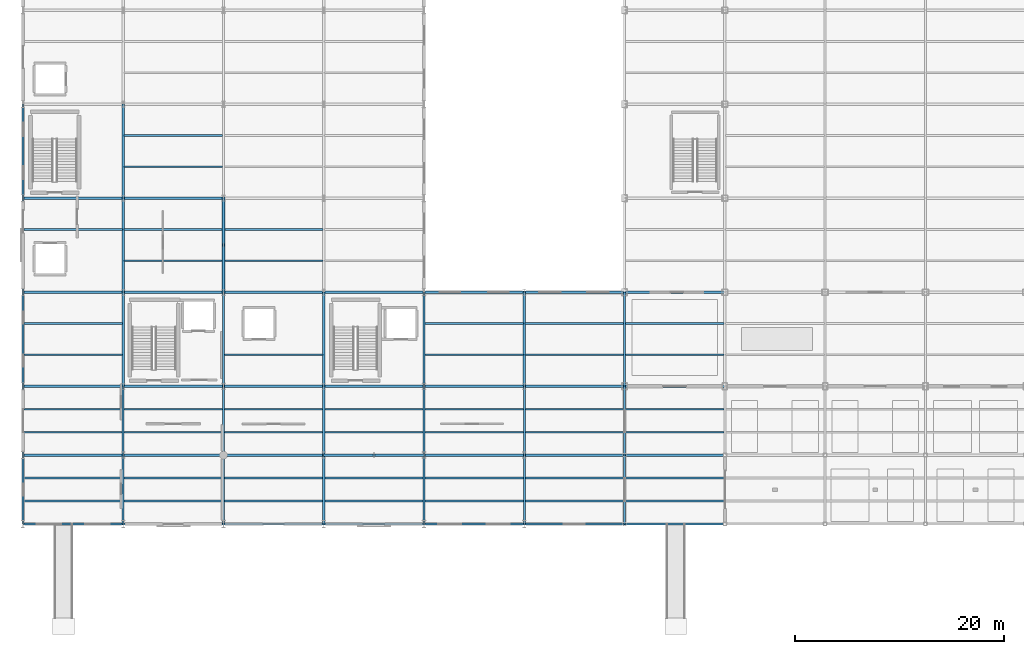
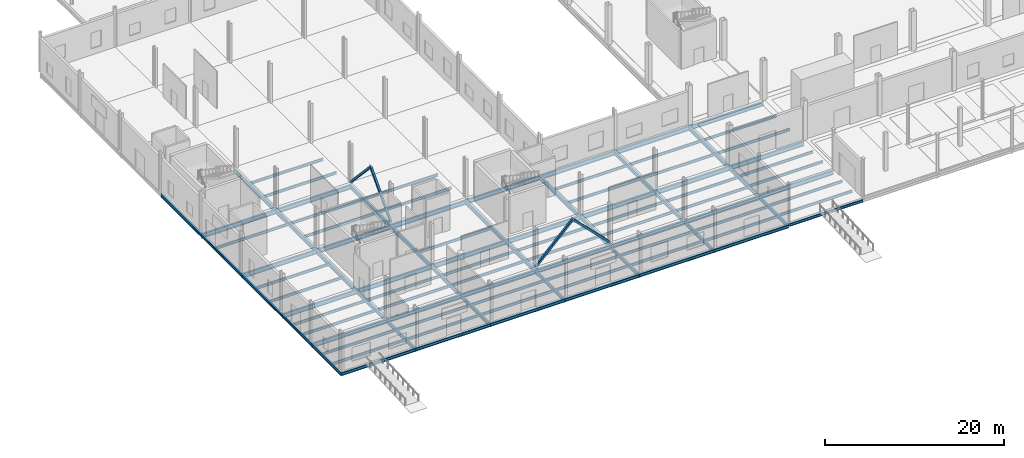
# One storey, part 26 of 85: 100 beams, 4 members.
"""IFC4 building model written with IfcOpenShell, lengths in metres."""

from ifc_helpers import new_model, si_unit, direction, frame, origin, origin_2d, place, context, subcontext, project, spatial, hollow_rectangle, i_section, extrude, material, material_profile, profile_set, type_object, element, save


model = new_model("IFC4")

# Units and contexts
model_context = context("Model", 3, precision=1e-05, world=origin(), true_north=direction((0.0, 1.0)))
body_context = subcontext(model_context, "Body", "Model", "MODEL_VIEW")
ifc_project = project(units=[si_unit("LENGTHUNIT", "METRE"), si_unit("AREAUNIT", "SQUARE_METRE"), si_unit("VOLUMEUNIT", "CUBIC_METRE"), si_unit("PLANEANGLEUNIT", "RADIAN"), si_unit("MASSUNIT", "GRAM", prefix="KILO")], contexts=[model_context])

# Site, building, storey
site_placement = place(None, origin())
site = spatial("IfcSite", under=ifc_project, at=site_placement, CompositionType="ELEMENT")
building_placement = place(site_placement, origin())
building = spatial("IfcBuilding", under=site, at=building_placement, Name="Zarnetskaya Central Station", CompositionType="ELEMENT")
storey_placement = place(building_placement, origin())
storey = spatial("IfcBuildingStorey", under=building, at=storey_placement, Name="L00", CompositionType="ELEMENT", Elevation=0.0)

# Beams
ifc_material = material(Name="Steel S355", Category="steel")
ifc_material_profile_1 = material_profile(ifc_material, i_section(OverallWidth=0.169921875, OverallDepth=0.360107421875, WebThickness=0.008056640625, FlangeThickness=0.0126953125, FilletRadius=0.01806640625, at=origin_2d()), Name="IPE 360")
ifc_profile_set_1 = profile_set([ifc_material_profile_1], Name="Steel S355")
beam_type_1 = type_object("IfcBeamType", Name="BM-SEC-360", PredefinedType="BEAM", material=ifc_profile_set_1)
for number, where, z_axis, x_axis, name in (
    (1, (0.080078125, 2.199951171875, -0.5), (1.0, 0.0, 0.0), (0.0, 1.0, 0.0), "Secondary floor beam SEC-L00-Z32-AB-12-1"),
    (2, (0.080078125, 4.39990234375, -0.5), (1.0, 0.0, 0.0), (0.0, 1.0, 0.0), "Secondary floor beam SEC-L00-Z32-AB-12-2"),
    (3, (0.080078125, 8.800048828125, -0.5), (1.0, 0.0, 0.0), (0.0, 1.0, 0.0), "Secondary floor beam SEC-L00-Z32-AB-23-1"),
    (4, (0.080078125, 11.0, -0.5), (1.0, 0.0, 0.0), (0.0, 1.0, 0.0), "Secondary floor beam SEC-L00-Z32-AB-23-2"),
    (5, (0.080078125, 16.199951171875, -0.5), (1.0, 0.0, 0.0), (0.0, 1.0, 0.0), "Secondary floor beam SEC-L00-Z32-AB-34-1"),
    (6, (0.080078125, 19.199951171875, -0.5), (1.0, 0.0, 0.0), (0.0, 1.0, 0.0), "Secondary floor beam SEC-L00-Z32-AB-34-2"),
    (7, (0.080078125, 28.199951171875, -0.5), (1.0, 0.0, 0.0), (0.0, 1.0, 0.0), "Secondary floor beam SEC-L00-Z32-AB-45-2"),
):
    element("IfcBeam", number, at=place(storey_placement, frame(where, z_axis=z_axis, x_axis=x_axis)), inside=storey, type_object=beam_type_1, Name=name, PredefinedType="BEAM", context=body_context, shape_type="SweptSolid", body=[
        extrude(i_section(OverallWidth=0.169921875, OverallDepth=0.360107421875, WebThickness=0.008056640625, FlangeThickness=0.0126953125, FilletRadius=0.01806640625, at=origin_2d()), origin(), (0.0, 0.0, 1.0), 9.43994140625),
    ])
for number, where, z_axis, x_axis, name in (
    (8, (9.679931640625, 2.199951171875, -0.5), (1.0, 0.0, 0.0), (0.0, 1.0, 0.0), "Secondary floor beam SEC-L00-Z32-BC-12-1"),
    (9, (9.679931640625, 4.39990234375, -0.5), (1.0, 0.0, 0.0), (0.0, 1.0, 0.0), "Secondary floor beam SEC-L00-Z32-BC-12-2"),
    (10, (9.679931640625, 8.800048828125, -0.5), (1.0, 0.0, 0.0), (0.0, 1.0, 0.0), "Secondary floor beam SEC-L00-Z32-BC-23-1"),
    (11, (9.679931640625, 11.0, -0.5), (1.0, 0.0, 0.0), (0.0, 1.0, 0.0), "Secondary floor beam SEC-L00-Z32-BC-23-2"),
    (12, (9.679931640625, 25.199951171875, -0.5), (1.0, 0.0, 0.0), (0.0, 1.0, 0.0), "Secondary floor beam SEC-L00-Z32-BC-45-1"),
    (13, (9.679931640625, 28.199951171875, -0.5), (1.0, 0.0, 0.0), (0.0, 1.0, 0.0), "Secondary floor beam SEC-L00-Z32-BC-45-2"),
    (14, (9.679931640625, 34.199951171875, -0.5), (1.0, 0.0, 0.0), (0.0, 1.0, 0.0), "Secondary floor beam SEC-L00-Z32-BC-56-1"),
    (15, (9.679931640625, 37.199951171875, -0.5), (1.0, 0.0, 0.0), (0.0, 1.0, 0.0), "Secondary floor beam SEC-L00-Z32-BC-56-2"),
):
    element("IfcBeam", number, at=place(storey_placement, frame(where, z_axis=z_axis, x_axis=x_axis)), inside=storey, type_object=beam_type_1, Name=name, PredefinedType="BEAM", context=body_context, shape_type="SweptSolid", body=[
        extrude(i_section(OverallWidth=0.169921875, OverallDepth=0.360107421875, WebThickness=0.008056640625, FlangeThickness=0.0126953125, FilletRadius=0.01806640625, at=origin_2d()), origin(), (0.0, 0.0, 1.0), 9.440185546875),
    ])
for number, where, z_axis, x_axis, name in (
    (16, (19.280029296875, 2.199951171875, -0.5), (1.0, 0.0, 0.0), (0.0, 1.0, 0.0), "Secondary floor beam SEC-L00-Z32-CD-12-1"),
    (17, (19.280029296875, 4.39990234375, -0.5), (1.0, 0.0, 0.0), (0.0, 1.0, 0.0), "Secondary floor beam SEC-L00-Z32-CD-12-2"),
    (18, (19.280029296875, 8.800048828125, -0.5), (1.0, 0.0, 0.0), (0.0, 1.0, 0.0), "Secondary floor beam SEC-L00-Z32-CD-23-1"),
    (19, (19.280029296875, 11.0, -0.5), (1.0, 0.0, 0.0), (0.0, 1.0, 0.0), "Secondary floor beam SEC-L00-Z32-CD-23-2"),
    (20, (19.280029296875, 16.199951171875, -0.5), (1.0, 0.0, 0.0), (0.0, 1.0, 0.0), "Secondary floor beam SEC-L00-Z32-CD-34-1"),
    (21, (19.280029296875, 25.199951171875, -0.5), (1.0, 0.0, 0.0), (0.0, 1.0, 0.0), "Secondary floor beam SEC-L00-Z32-CD-45-1"),
    (22, (19.280029296875, 28.199951171875, -0.5), (1.0, 0.0, 0.0), (0.0, 1.0, 0.0), "Secondary floor beam SEC-L00-Z32-CD-45-2"),
):
    element("IfcBeam", number, at=place(storey_placement, frame(where, z_axis=z_axis, x_axis=x_axis)), inside=storey, type_object=beam_type_1, Name=name, PredefinedType="BEAM", context=body_context, shape_type="SweptSolid", body=[
        extrude(i_section(OverallWidth=0.169921875, OverallDepth=0.360107421875, WebThickness=0.008056640625, FlangeThickness=0.0126953125, FilletRadius=0.01806640625, at=origin_2d()), origin(), (0.0, 0.0, 1.0), 9.43994140625),
    ])
for number, where, z_axis, x_axis, name in (
    (23, (28.8798828125, 2.199951171875, -0.5), (1.0, 0.0, 0.0), (0.0, 1.0, 0.0), "Secondary floor beam SEC-L00-Z32-DE-12-1"),
    (24, (28.8798828125, 4.39990234375, -0.5), (1.0, 0.0, 0.0), (0.0, 1.0, 0.0), "Secondary floor beam SEC-L00-Z32-DE-12-2"),
    (25, (28.8798828125, 8.800048828125, -0.5), (1.0, 0.0, 0.0), (0.0, 1.0, 0.0), "Secondary floor beam SEC-L00-Z32-DE-23-1"),
    (26, (28.8798828125, 11.0, -0.5), (1.0, 0.0, 0.0), (0.0, 1.0, 0.0), "Secondary floor beam SEC-L00-Z32-DE-23-2"),
):
    element("IfcBeam", number, at=place(storey_placement, frame(where, z_axis=z_axis, x_axis=x_axis)), inside=storey, type_object=beam_type_1, Name=name, PredefinedType="BEAM", context=body_context, shape_type="SweptSolid", body=[
        extrude(i_section(OverallWidth=0.169921875, OverallDepth=0.360107421875, WebThickness=0.008056640625, FlangeThickness=0.0126953125, FilletRadius=0.01806640625, at=origin_2d()), origin(), (0.0, 0.0, 1.0), 9.440185546875),
    ])
for number, where, z_axis, x_axis, name in (
    (27, (38.47998046875, 2.199951171875, -0.5), (1.0, 0.0, 0.0), (0.0, 1.0, 0.0), "Secondary floor beam SEC-L00-Z32-EF-12-1"),
    (28, (38.47998046875, 4.39990234375, -0.5), (1.0, 0.0, 0.0), (0.0, 1.0, 0.0), "Secondary floor beam SEC-L00-Z32-EF-12-2"),
    (29, (38.47998046875, 8.800048828125, -0.5), (1.0, 0.0, 0.0), (0.0, 1.0, 0.0), "Secondary floor beam SEC-L00-Z32-EF-23-1"),
    (30, (38.47998046875, 11.0, -0.5), (1.0, 0.0, 0.0), (0.0, 1.0, 0.0), "Secondary floor beam SEC-L00-Z32-EF-23-2"),
    (31, (38.47998046875, 16.199951171875, -0.5), (1.0, 0.0, 0.0), (0.0, 1.0, 0.0), "Secondary floor beam SEC-L00-Z32-EF-34-1"),
    (32, (38.47998046875, 19.199951171875, -0.5), (1.0, 0.0, 0.0), (0.0, 1.0, 0.0), "Secondary floor beam SEC-L00-Z32-EF-34-2"),
    (33, (48.080078125, 2.199951171875, -0.5), (1.0, 0.0, 0.0), (0.0, 1.0, 0.0), "Secondary floor beam SEC-L00-Z32-FG-12-1"),
    (34, (48.080078125, 4.39990234375, -0.5), (1.0, 0.0, 0.0), (0.0, 1.0, 0.0), "Secondary floor beam SEC-L00-Z32-FG-12-2"),
    (35, (48.080078125, 8.800048828125, -0.5), (1.0, 0.0, 0.0), (0.0, 1.0, 0.0), "Secondary floor beam SEC-L00-Z32-FG-23-1"),
    (36, (48.080078125, 11.0, -0.5), (1.0, 0.0, 0.0), (0.0, 1.0, 0.0), "Secondary floor beam SEC-L00-Z32-FG-23-2"),
    (37, (48.080078125, 16.199951171875, -0.5), (1.0, 0.0, 0.0), (0.0, 1.0, 0.0), "Secondary floor beam SEC-L00-Z32-FG-34-1"),
    (38, (48.080078125, 19.199951171875, -0.5), (1.0, 0.0, 0.0), (0.0, 1.0, 0.0), "Secondary floor beam SEC-L00-Z32-FG-34-2"),
):
    element("IfcBeam", number, at=place(storey_placement, frame(where, z_axis=z_axis, x_axis=x_axis)), inside=storey, type_object=beam_type_1, Name=name, PredefinedType="BEAM", context=body_context, shape_type="SweptSolid", body=[
        extrude(i_section(OverallWidth=0.169921875, OverallDepth=0.360107421875, WebThickness=0.008056640625, FlangeThickness=0.0126953125, FilletRadius=0.01806640625, at=origin_2d()), origin(), (0.0, 0.0, 1.0), 9.43994140625),
    ])
for number, where, z_axis, x_axis, name in (
    (39, (57.679931640625, 16.199951171875, -0.5), (1.0, 0.0, 0.0), (0.0, 1.0, 0.0), "Secondary floor beam SEC-L00-Z32-GH-34-1"),
    (40, (57.679931640625, 19.199951171875, -0.5), (1.0, 0.0, 0.0), (0.0, 1.0, 0.0), "Secondary floor beam SEC-L00-Z32-GH-34-2"),
    (41, (57.679931640625, 2.199951171875, -0.39990234375), (1.0, 0.0, 0.0), (0.0, 1.0, 0.0), "Secondary floor beam SEC-L00-Z22-GH-12-1"),
    (42, (57.679931640625, 4.39990234375, -0.39990234375), (1.0, 0.0, 0.0), (0.0, 1.0, 0.0), "Secondary floor beam SEC-L00-Z22-GH-12-2"),
    (43, (57.679931640625, 8.800048828125, -0.39990234375), (1.0, 0.0, 0.0), (0.0, 1.0, 0.0), "Secondary floor beam SEC-L00-Z22-GH-23-1"),
    (44, (57.679931640625, 11.0, -0.39990234375), (1.0, 0.0, 0.0), (0.0, 1.0, 0.0), "Secondary floor beam SEC-L00-Z22-GH-23-2"),
):
    element("IfcBeam", number, at=place(storey_placement, frame(where, z_axis=z_axis, x_axis=x_axis)), inside=storey, type_object=beam_type_1, Name=name, PredefinedType="BEAM", context=body_context, shape_type="SweptSolid", body=[
        extrude(i_section(OverallWidth=0.169921875, OverallDepth=0.360107421875, WebThickness=0.008056640625, FlangeThickness=0.0126953125, FilletRadius=0.01806640625, at=origin_2d()), origin(), (0.0, 0.0, 1.0), 9.440185546875),
    ])
ifc_material_profile_2 = material_profile(ifc_material, i_section(OverallWidth=0.169921875, OverallDepth=0.360107421875, WebThickness=0.008056640625, FlangeThickness=0.0126953125, FilletRadius=0.01806640625, at=origin_2d()), Name="IPE 360")
ifc_profile_set_2 = profile_set([ifc_material_profile_2], Name="Steel S355")
beam_type_2 = type_object("IfcBeamType", Name="BM-SPN-V4", PredefinedType="SPANDREL", material=ifc_profile_set_2)
beam_1_placement = place(storey_placement, frame((57.60009765625, 0.0, -0.39990234375), z_axis=(1.0, 0.0, 0.0), x_axis=(0.0, 1.0, 0.0)))
element("IfcBeam", 45, at=beam_1_placement, inside=storey, type_object=beam_type_2, Name="Grid girder GX-L00-1-GH", PredefinedType="SPANDREL", context=body_context, shape_type="SweptSolid", body=[
    extrude(i_section(OverallWidth=0.169921875, OverallDepth=0.360107421875, WebThickness=0.008056640625, FlangeThickness=0.0126953125, FilletRadius=0.01806640625, at=origin_2d()), origin(), (0.0, 0.0, 1.0), 9.599853515625),
])
ifc_material_profile_3 = material_profile(ifc_material, i_section(OverallWidth=0.179931640625, OverallDepth=0.39990234375, WebThickness=0.008544921875, FlangeThickness=0.013427734375, FilletRadius=0.02099609375, at=origin_2d()), Name="IPE 400")
ifc_profile_set_3 = profile_set([ifc_material_profile_3], Name="Steel S355")
beam_type_3 = type_object("IfcBeamType", Name="BM-SPN-V5", PredefinedType="SPANDREL", material=ifc_profile_set_3)
beam_2_placement = place(storey_placement, frame((0.0, 0.0, -0.52001953125), z_axis=(0.0, 1.0, 0.0), x_axis=(-1.0, 0.0, 0.0)))
element("IfcBeam", 46, at=beam_2_placement, inside=storey, type_object=beam_type_3, Name="Grid girder GY-L00-A-12", PredefinedType="SPANDREL", context=body_context, shape_type="SweptSolid", body=[
    extrude(i_section(OverallWidth=0.179931640625, OverallDepth=0.39990234375, WebThickness=0.008544921875, FlangeThickness=0.013427734375, FilletRadius=0.02099609375, at=origin_2d()), origin(), (0.0, 0.0, 1.0), 6.60009765625),
])
beam_3_placement = place(storey_placement, frame((0.0, 0.0, -0.52001953125), z_axis=(1.0, 0.0, 0.0), x_axis=(0.0, 1.0, 0.0)))
element("IfcBeam", 47, at=beam_3_placement, inside=storey, type_object=beam_type_3, Name="Grid girder GX-L00-1-AB", PredefinedType="SPANDREL", context=body_context, shape_type="SweptSolid", body=[
    extrude(i_section(OverallWidth=0.179931640625, OverallDepth=0.39990234375, WebThickness=0.008544921875, FlangeThickness=0.013427734375, FilletRadius=0.02099609375, at=origin_2d()), origin(), (0.0, 0.0, 1.0), 9.60009765625),
])
beam_4_placement = place(storey_placement, frame((0.0, 6.60009765625, -0.52001953125), z_axis=(0.0, 1.0, 0.0), x_axis=(-1.0, 0.0, 0.0)))
element("IfcBeam", 48, at=beam_4_placement, inside=storey, type_object=beam_type_3, Name="Grid girder GY-L00-A-23", PredefinedType="SPANDREL", context=body_context, shape_type="SweptSolid", body=[
    extrude(i_section(OverallWidth=0.179931640625, OverallDepth=0.39990234375, WebThickness=0.008544921875, FlangeThickness=0.013427734375, FilletRadius=0.02099609375, at=origin_2d()), origin(), (0.0, 0.0, 1.0), 6.599853515625),
])
for number, where, z_axis, x_axis, name in (
    (49, (0.0, 13.199951171875, -0.52001953125), (0.0, 1.0, 0.0), (-1.0, 0.0, 0.0), "Grid girder GY-L00-A-34"),
    (50, (0.0, 22.199951171875, -0.52001953125), (0.0, 1.0, 0.0), (-1.0, 0.0, 0.0), "Grid girder GY-L00-A-45"),
    (51, (0.0, 31.199951171875, -0.52001953125), (0.0, 1.0, 0.0), (-1.0, 0.0, 0.0), "Grid girder GY-L00-A-56"),
):
    element("IfcBeam", number, at=place(storey_placement, frame(where, z_axis=z_axis, x_axis=x_axis)), inside=storey, type_object=beam_type_3, Name=name, PredefinedType="SPANDREL", context=body_context, shape_type="SweptSolid", body=[
        extrude(i_section(OverallWidth=0.179931640625, OverallDepth=0.39990234375, WebThickness=0.008544921875, FlangeThickness=0.013427734375, FilletRadius=0.02099609375, at=origin_2d()), origin(), (0.0, 0.0, 1.0), 9.0),
    ])
beam_5_placement = place(storey_placement, frame((9.60009765625, 0.0, -0.52001953125), z_axis=(1.0, 0.0, 0.0), x_axis=(0.0, 1.0, 0.0)))
element("IfcBeam", 52, at=beam_5_placement, inside=storey, type_object=beam_type_3, Name="Grid girder GX-L00-1-BC", PredefinedType="SPANDREL", context=body_context, shape_type="SweptSolid", body=[
    extrude(i_section(OverallWidth=0.179931640625, OverallDepth=0.39990234375, WebThickness=0.008544921875, FlangeThickness=0.013427734375, FilletRadius=0.02099609375, at=origin_2d()), origin(), (0.0, 0.0, 1.0), 9.599853515625),
])
beam_6_placement = place(storey_placement, frame((19.199951171875, 0.0, -0.52001953125), z_axis=(1.0, 0.0, 0.0), x_axis=(0.0, 1.0, 0.0)))
element("IfcBeam", 53, at=beam_6_placement, inside=storey, type_object=beam_type_3, Name="Grid girder GX-L00-1-CD", PredefinedType="SPANDREL", context=body_context, shape_type="SweptSolid", body=[
    extrude(i_section(OverallWidth=0.179931640625, OverallDepth=0.39990234375, WebThickness=0.008544921875, FlangeThickness=0.013427734375, FilletRadius=0.02099609375, at=origin_2d()), origin(), (0.0, 0.0, 1.0), 9.60009765625),
])
beam_7_placement = place(storey_placement, frame((28.800048828125, 0.0, -0.52001953125), z_axis=(1.0, 0.0, 0.0), x_axis=(0.0, 1.0, 0.0)))
element("IfcBeam", 54, at=beam_7_placement, inside=storey, type_object=beam_type_3, Name="Grid girder GX-L00-1-DE", PredefinedType="SPANDREL", context=body_context, shape_type="SweptSolid", body=[
    extrude(i_section(OverallWidth=0.179931640625, OverallDepth=0.39990234375, WebThickness=0.008544921875, FlangeThickness=0.013427734375, FilletRadius=0.02099609375, at=origin_2d()), origin(), (0.0, 0.0, 1.0), 9.599853515625),
])
for number, where, z_axis, x_axis, name in (
    (55, (38.39990234375, 0.0, -0.52001953125), (1.0, 0.0, 0.0), (0.0, 1.0, 0.0), "Grid girder GX-L00-1-EF"),
    (56, (48.0, 0.0, -0.52001953125), (1.0, 0.0, 0.0), (0.0, 1.0, 0.0), "Grid girder GX-L00-1-FG"),
):
    element("IfcBeam", number, at=place(storey_placement, frame(where, z_axis=z_axis, x_axis=x_axis)), inside=storey, type_object=beam_type_3, Name=name, PredefinedType="SPANDREL", context=body_context, shape_type="SweptSolid", body=[
        extrude(i_section(OverallWidth=0.179931640625, OverallDepth=0.39990234375, WebThickness=0.008544921875, FlangeThickness=0.013427734375, FilletRadius=0.02099609375, at=origin_2d()), origin(), (0.0, 0.0, 1.0), 9.60009765625),
    ])
ifc_material_profile_4 = material_profile(ifc_material, i_section(OverallWidth=0.199951171875, OverallDepth=0.5, WebThickness=0.01025390625, FlangeThickness=0.01611328125, FilletRadius=0.02099609375, at=origin_2d()), Name="IPE 500")
ifc_profile_set_4 = profile_set([ifc_material_profile_4], Name="Steel S355")
beam_type_4 = type_object("IfcBeamType", Name="GD-FLR-500", PredefinedType="USERDEFINED", material=ifc_profile_set_4)
beam_8_placement = place(storey_placement, frame((9.60009765625, 0.0, -0.570068359375), z_axis=(0.0, 1.0, 0.0), x_axis=(-1.0, 0.0, 0.0)))
element("IfcBeam", 57, at=beam_8_placement, inside=storey, type_object=beam_type_4, Name="Grid girder GY-L00-B-12", ObjectType="GIRDER", PredefinedType="USERDEFINED", context=body_context, shape_type="SweptSolid", body=[
    extrude(i_section(OverallWidth=0.199951171875, OverallDepth=0.5, WebThickness=0.01025390625, FlangeThickness=0.01611328125, FilletRadius=0.02099609375, at=origin_2d()), origin(), (0.0, 0.0, 1.0), 6.60009765625),
])
beam_9_placement = place(storey_placement, frame((9.60009765625, 6.60009765625, -0.570068359375), z_axis=(0.0, 1.0, 0.0), x_axis=(-1.0, 0.0, 0.0)))
element("IfcBeam", 58, at=beam_9_placement, inside=storey, type_object=beam_type_4, Name="Grid girder GY-L00-B-23", ObjectType="GIRDER", PredefinedType="USERDEFINED", context=body_context, shape_type="SweptSolid", body=[
    extrude(i_section(OverallWidth=0.199951171875, OverallDepth=0.5, WebThickness=0.01025390625, FlangeThickness=0.01611328125, FilletRadius=0.02099609375, at=origin_2d()), origin(), (0.0, 0.0, 1.0), 6.599853515625),
])
beam_10_placement = place(storey_placement, frame((19.199951171875, 0.0, -0.570068359375), z_axis=(0.0, 1.0, 0.0), x_axis=(-1.0, 0.0, 0.0)))
element("IfcBeam", 59, at=beam_10_placement, inside=storey, type_object=beam_type_4, Name="Grid girder GY-L00-C-12", ObjectType="GIRDER", PredefinedType="USERDEFINED", context=body_context, shape_type="SweptSolid", body=[
    extrude(i_section(OverallWidth=0.199951171875, OverallDepth=0.5, WebThickness=0.01025390625, FlangeThickness=0.01611328125, FilletRadius=0.02099609375, at=origin_2d()), origin(), (0.0, 0.0, 1.0), 6.60009765625),
])
beam_11_placement = place(storey_placement, frame((19.199951171875, 6.60009765625, -0.570068359375), z_axis=(0.0, 1.0, 0.0), x_axis=(-1.0, 0.0, 0.0)))
element("IfcBeam", 60, at=beam_11_placement, inside=storey, type_object=beam_type_4, Name="Grid girder GY-L00-C-23", ObjectType="GIRDER", PredefinedType="USERDEFINED", context=body_context, shape_type="SweptSolid", body=[
    extrude(i_section(OverallWidth=0.199951171875, OverallDepth=0.5, WebThickness=0.01025390625, FlangeThickness=0.01611328125, FilletRadius=0.02099609375, at=origin_2d()), origin(), (0.0, 0.0, 1.0), 6.599853515625),
])
beam_12_placement = place(storey_placement, frame((28.800048828125, 0.0, -0.570068359375), z_axis=(0.0, 1.0, 0.0), x_axis=(-1.0, 0.0, 0.0)))
element("IfcBeam", 61, at=beam_12_placement, inside=storey, type_object=beam_type_4, Name="Grid girder GY-L00-D-12", ObjectType="GIRDER", PredefinedType="USERDEFINED", context=body_context, shape_type="SweptSolid", body=[
    extrude(i_section(OverallWidth=0.199951171875, OverallDepth=0.5, WebThickness=0.01025390625, FlangeThickness=0.01611328125, FilletRadius=0.02099609375, at=origin_2d()), origin(), (0.0, 0.0, 1.0), 6.60009765625),
])
beam_13_placement = place(storey_placement, frame((28.800048828125, 6.60009765625, -0.570068359375), z_axis=(0.0, 1.0, 0.0), x_axis=(-1.0, 0.0, 0.0)))
element("IfcBeam", 62, at=beam_13_placement, inside=storey, type_object=beam_type_4, Name="Grid girder GY-L00-D-23", ObjectType="GIRDER", PredefinedType="USERDEFINED", context=body_context, shape_type="SweptSolid", body=[
    extrude(i_section(OverallWidth=0.199951171875, OverallDepth=0.5, WebThickness=0.01025390625, FlangeThickness=0.01611328125, FilletRadius=0.02099609375, at=origin_2d()), origin(), (0.0, 0.0, 1.0), 6.599853515625),
])
beam_14_placement = place(storey_placement, frame((38.39990234375, 0.0, -0.570068359375), z_axis=(0.0, 1.0, 0.0), x_axis=(-1.0, 0.0, 0.0)))
element("IfcBeam", 63, at=beam_14_placement, inside=storey, type_object=beam_type_4, Name="Grid girder GY-L00-E-12", ObjectType="GIRDER", PredefinedType="USERDEFINED", context=body_context, shape_type="SweptSolid", body=[
    extrude(i_section(OverallWidth=0.199951171875, OverallDepth=0.5, WebThickness=0.01025390625, FlangeThickness=0.01611328125, FilletRadius=0.02099609375, at=origin_2d()), origin(), (0.0, 0.0, 1.0), 6.60009765625),
])
beam_15_placement = place(storey_placement, frame((38.39990234375, 6.60009765625, -0.570068359375), z_axis=(0.0, 1.0, 0.0), x_axis=(-1.0, 0.0, 0.0)))
element("IfcBeam", 64, at=beam_15_placement, inside=storey, type_object=beam_type_4, Name="Grid girder GY-L00-E-23", ObjectType="GIRDER", PredefinedType="USERDEFINED", context=body_context, shape_type="SweptSolid", body=[
    extrude(i_section(OverallWidth=0.199951171875, OverallDepth=0.5, WebThickness=0.01025390625, FlangeThickness=0.01611328125, FilletRadius=0.02099609375, at=origin_2d()), origin(), (0.0, 0.0, 1.0), 6.599853515625),
])
beam_16_placement = place(storey_placement, frame((48.0, 0.0, -0.570068359375), z_axis=(0.0, 1.0, 0.0), x_axis=(-1.0, 0.0, 0.0)))
element("IfcBeam", 65, at=beam_16_placement, inside=storey, type_object=beam_type_4, Name="Grid girder GY-L00-F-12", ObjectType="GIRDER", PredefinedType="USERDEFINED", context=body_context, shape_type="SweptSolid", body=[
    extrude(i_section(OverallWidth=0.199951171875, OverallDepth=0.5, WebThickness=0.01025390625, FlangeThickness=0.01611328125, FilletRadius=0.02099609375, at=origin_2d()), origin(), (0.0, 0.0, 1.0), 6.60009765625),
])
beam_17_placement = place(storey_placement, frame((48.0, 6.60009765625, -0.570068359375), z_axis=(0.0, 1.0, 0.0), x_axis=(-1.0, 0.0, 0.0)))
element("IfcBeam", 66, at=beam_17_placement, inside=storey, type_object=beam_type_4, Name="Grid girder GY-L00-F-23", ObjectType="GIRDER", PredefinedType="USERDEFINED", context=body_context, shape_type="SweptSolid", body=[
    extrude(i_section(OverallWidth=0.199951171875, OverallDepth=0.5, WebThickness=0.01025390625, FlangeThickness=0.01611328125, FilletRadius=0.02099609375, at=origin_2d()), origin(), (0.0, 0.0, 1.0), 6.599853515625),
])
beam_18_placement = place(storey_placement, frame((57.60009765625, 0.0, -0.570068359375), z_axis=(0.0, 1.0, 0.0), x_axis=(-1.0, 0.0, 0.0)))
element("IfcBeam", 67, at=beam_18_placement, inside=storey, type_object=beam_type_4, Name="Grid girder GY-L00-G-12", ObjectType="GIRDER", PredefinedType="USERDEFINED", context=body_context, shape_type="SweptSolid", body=[
    extrude(i_section(OverallWidth=0.199951171875, OverallDepth=0.5, WebThickness=0.01025390625, FlangeThickness=0.01611328125, FilletRadius=0.02099609375, at=origin_2d()), origin(), (0.0, 0.0, 1.0), 6.60009765625),
])
beam_19_placement = place(storey_placement, frame((57.60009765625, 6.60009765625, -0.570068359375), z_axis=(0.0, 1.0, 0.0), x_axis=(-1.0, 0.0, 0.0)))
element("IfcBeam", 68, at=beam_19_placement, inside=storey, type_object=beam_type_4, Name="Grid girder GY-L00-G-23", ObjectType="GIRDER", PredefinedType="USERDEFINED", context=body_context, shape_type="SweptSolid", body=[
    extrude(i_section(OverallWidth=0.199951171875, OverallDepth=0.5, WebThickness=0.01025390625, FlangeThickness=0.01611328125, FilletRadius=0.02099609375, at=origin_2d()), origin(), (0.0, 0.0, 1.0), 6.599853515625),
])
ifc_material_profile_5 = material_profile(ifc_material, i_section(OverallWidth=0.2099609375, OverallDepth=0.550048828125, WebThickness=0.010986328125, FlangeThickness=0.01708984375, FilletRadius=0.02392578125, at=origin_2d()), Name="IPE 550")
ifc_profile_set_5 = profile_set([ifc_material_profile_5], Name="Steel S355")
beam_type_5 = type_object("IfcBeamType", Name="GD-FLR-550", PredefinedType="USERDEFINED", material=ifc_profile_set_5)
for number, where, z_axis, x_axis, name in (
    (69, (9.60009765625, 13.199951171875, -0.594970703125), (0.0, 1.0, 0.0), (-1.0, 0.0, 0.0), "Grid girder GY-L00-B-34"),
    (70, (9.60009765625, 22.199951171875, -0.594970703125), (0.0, 1.0, 0.0), (-1.0, 0.0, 0.0), "Grid girder GY-L00-B-45"),
    (71, (9.60009765625, 31.199951171875, -0.594970703125), (0.0, 1.0, 0.0), (-1.0, 0.0, 0.0), "Grid girder GY-L00-B-56"),
    (72, (19.199951171875, 13.199951171875, -0.594970703125), (0.0, 1.0, 0.0), (-1.0, 0.0, 0.0), "Grid girder GY-L00-C-34"),
    (73, (19.199951171875, 22.199951171875, -0.594970703125), (0.0, 1.0, 0.0), (-1.0, 0.0, 0.0), "Grid girder GY-L00-C-45"),
    (74, (28.800048828125, 13.199951171875, -0.594970703125), (0.0, 1.0, 0.0), (-1.0, 0.0, 0.0), "Grid girder GY-L00-D-34"),
    (75, (38.39990234375, 13.199951171875, -0.594970703125), (0.0, 1.0, 0.0), (-1.0, 0.0, 0.0), "Grid girder GY-L00-E-34"),
    (76, (48.0, 13.199951171875, -0.594970703125), (0.0, 1.0, 0.0), (-1.0, 0.0, 0.0), "Grid girder GY-L00-F-34"),
    (77, (57.60009765625, 13.199951171875, -0.594970703125), (0.0, 1.0, 0.0), (-1.0, 0.0, 0.0), "Grid girder GY-L00-G-34"),
):
    element("IfcBeam", number, at=place(storey_placement, frame(where, z_axis=z_axis, x_axis=x_axis)), inside=storey, type_object=beam_type_5, Name=name, ObjectType="GIRDER", PredefinedType="USERDEFINED", context=body_context, shape_type="SweptSolid", body=[
        extrude(i_section(OverallWidth=0.2099609375, OverallDepth=0.550048828125, WebThickness=0.010986328125, FlangeThickness=0.01708984375, FilletRadius=0.02392578125, at=origin_2d()), origin(), (0.0, 0.0, 1.0), 9.0),
    ])
ifc_material_profile_6 = material_profile(ifc_material, i_section(OverallWidth=0.219970703125, OverallDepth=0.60009765625, WebThickness=0.011962890625, FlangeThickness=0.01904296875, FilletRadius=0.02392578125, at=origin_2d()), Name="IPE 600")
ifc_profile_set_6 = profile_set([ifc_material_profile_6], Name="Steel S355")
beam_type_6 = type_object("IfcBeamType", Name="GD-FLR-600", PredefinedType="USERDEFINED", material=ifc_profile_set_6)
for number, where, z_axis, x_axis, name in (
    (78, (0.0, 6.60009765625, -0.6201171875), (1.0, 0.0, 0.0), (0.0, 1.0, 0.0), "Grid girder GX-L00-2-AB"),
    (79, (0.0, 13.199951171875, -0.6201171875), (1.0, 0.0, 0.0), (0.0, 1.0, 0.0), "Grid girder GX-L00-3-AB"),
    (80, (0.0, 22.199951171875, -0.6201171875), (1.0, 0.0, 0.0), (0.0, 1.0, 0.0), "Grid girder GX-L00-4-AB"),
    (81, (0.0, 31.199951171875, -0.6201171875), (1.0, 0.0, 0.0), (0.0, 1.0, 0.0), "Grid girder GX-L00-5-AB"),
):
    element("IfcBeam", number, at=place(storey_placement, frame(where, z_axis=z_axis, x_axis=x_axis)), inside=storey, type_object=beam_type_6, Name=name, ObjectType="GIRDER", PredefinedType="USERDEFINED", context=body_context, shape_type="SweptSolid", body=[
        extrude(i_section(OverallWidth=0.219970703125, OverallDepth=0.60009765625, WebThickness=0.011962890625, FlangeThickness=0.01904296875, FilletRadius=0.02392578125, at=origin_2d()), origin(), (0.0, 0.0, 1.0), 9.60009765625),
    ])
for number, where, z_axis, x_axis, name in (
    (82, (9.60009765625, 6.60009765625, -0.6201171875), (1.0, 0.0, 0.0), (0.0, 1.0, 0.0), "Grid girder GX-L00-2-BC"),
    (83, (9.60009765625, 13.199951171875, -0.6201171875), (1.0, 0.0, 0.0), (0.0, 1.0, 0.0), "Grid girder GX-L00-3-BC"),
    (84, (9.60009765625, 22.199951171875, -0.6201171875), (1.0, 0.0, 0.0), (0.0, 1.0, 0.0), "Grid girder GX-L00-4-BC"),
    (85, (9.60009765625, 31.199951171875, -0.6201171875), (1.0, 0.0, 0.0), (0.0, 1.0, 0.0), "Grid girder GX-L00-5-BC"),
):
    element("IfcBeam", number, at=place(storey_placement, frame(where, z_axis=z_axis, x_axis=x_axis)), inside=storey, type_object=beam_type_6, Name=name, ObjectType="GIRDER", PredefinedType="USERDEFINED", context=body_context, shape_type="SweptSolid", body=[
        extrude(i_section(OverallWidth=0.219970703125, OverallDepth=0.60009765625, WebThickness=0.011962890625, FlangeThickness=0.01904296875, FilletRadius=0.02392578125, at=origin_2d()), origin(), (0.0, 0.0, 1.0), 9.599853515625),
    ])
for number, where, z_axis, x_axis, name in (
    (86, (19.199951171875, 6.60009765625, -0.6201171875), (1.0, 0.0, 0.0), (0.0, 1.0, 0.0), "Grid girder GX-L00-2-CD"),
    (87, (19.199951171875, 13.199951171875, -0.6201171875), (1.0, 0.0, 0.0), (0.0, 1.0, 0.0), "Grid girder GX-L00-3-CD"),
    (88, (19.199951171875, 22.199951171875, -0.6201171875), (1.0, 0.0, 0.0), (0.0, 1.0, 0.0), "Grid girder GX-L00-4-CD"),
):
    element("IfcBeam", number, at=place(storey_placement, frame(where, z_axis=z_axis, x_axis=x_axis)), inside=storey, type_object=beam_type_6, Name=name, ObjectType="GIRDER", PredefinedType="USERDEFINED", context=body_context, shape_type="SweptSolid", body=[
        extrude(i_section(OverallWidth=0.219970703125, OverallDepth=0.60009765625, WebThickness=0.011962890625, FlangeThickness=0.01904296875, FilletRadius=0.02392578125, at=origin_2d()), origin(), (0.0, 0.0, 1.0), 9.60009765625),
    ])
for number, where, z_axis, x_axis, name in (
    (89, (28.800048828125, 6.60009765625, -0.6201171875), (1.0, 0.0, 0.0), (0.0, 1.0, 0.0), "Grid girder GX-L00-2-DE"),
    (90, (28.800048828125, 13.199951171875, -0.6201171875), (1.0, 0.0, 0.0), (0.0, 1.0, 0.0), "Grid girder GX-L00-3-DE"),
    (91, (28.800048828125, 22.199951171875, -0.6201171875), (1.0, 0.0, 0.0), (0.0, 1.0, 0.0), "Grid girder GX-L00-4-DE"),
):
    element("IfcBeam", number, at=place(storey_placement, frame(where, z_axis=z_axis, x_axis=x_axis)), inside=storey, type_object=beam_type_6, Name=name, ObjectType="GIRDER", PredefinedType="USERDEFINED", context=body_context, shape_type="SweptSolid", body=[
        extrude(i_section(OverallWidth=0.219970703125, OverallDepth=0.60009765625, WebThickness=0.011962890625, FlangeThickness=0.01904296875, FilletRadius=0.02392578125, at=origin_2d()), origin(), (0.0, 0.0, 1.0), 9.599853515625),
    ])
for number, where, z_axis, x_axis, name in (
    (92, (38.39990234375, 6.60009765625, -0.6201171875), (1.0, 0.0, 0.0), (0.0, 1.0, 0.0), "Grid girder GX-L00-2-EF"),
    (93, (38.39990234375, 13.199951171875, -0.6201171875), (1.0, 0.0, 0.0), (0.0, 1.0, 0.0), "Grid girder GX-L00-3-EF"),
    (94, (38.39990234375, 22.199951171875, -0.6201171875), (1.0, 0.0, 0.0), (0.0, 1.0, 0.0), "Grid girder GX-L00-4-EF"),
    (95, (48.0, 6.60009765625, -0.6201171875), (1.0, 0.0, 0.0), (0.0, 1.0, 0.0), "Grid girder GX-L00-2-FG"),
    (96, (48.0, 13.199951171875, -0.6201171875), (1.0, 0.0, 0.0), (0.0, 1.0, 0.0), "Grid girder GX-L00-3-FG"),
    (97, (48.0, 22.199951171875, -0.6201171875), (1.0, 0.0, 0.0), (0.0, 1.0, 0.0), "Grid girder GX-L00-4-FG"),
):
    element("IfcBeam", number, at=place(storey_placement, frame(where, z_axis=z_axis, x_axis=x_axis)), inside=storey, type_object=beam_type_6, Name=name, ObjectType="GIRDER", PredefinedType="USERDEFINED", context=body_context, shape_type="SweptSolid", body=[
        extrude(i_section(OverallWidth=0.219970703125, OverallDepth=0.60009765625, WebThickness=0.011962890625, FlangeThickness=0.01904296875, FilletRadius=0.02392578125, at=origin_2d()), origin(), (0.0, 0.0, 1.0), 9.60009765625),
    ])
for number, where, z_axis, x_axis, name in (
    (98, (57.60009765625, 6.60009765625, -0.52001953125), (1.0, 0.0, 0.0), (0.0, 1.0, 0.0), "Grid girder GX-L00-2-GH"),
    (99, (57.60009765625, 13.199951171875, -0.6201171875), (1.0, 0.0, 0.0), (0.0, 1.0, 0.0), "Grid girder GX-L00-3-GH"),
    (100, (57.60009765625, 22.199951171875, -0.6201171875), (1.0, 0.0, 0.0), (0.0, 1.0, 0.0), "Grid girder GX-L00-4-GH"),
):
    element("IfcBeam", number, at=place(storey_placement, frame(where, z_axis=z_axis, x_axis=x_axis)), inside=storey, type_object=beam_type_6, Name=name, ObjectType="GIRDER", PredefinedType="USERDEFINED", context=body_context, shape_type="SweptSolid", body=[
        extrude(i_section(OverallWidth=0.219970703125, OverallDepth=0.60009765625, WebThickness=0.011962890625, FlangeThickness=0.01904296875, FilletRadius=0.02392578125, at=origin_2d()), origin(), (0.0, 0.0, 1.0), 9.599853515625),
    ])

# Members
ifc_material_profile_7 = material_profile(ifc_material, hollow_rectangle(XDim=0.25, YDim=0.25, WallThickness=0.012451171875, at=origin_2d()), Name="SHS 250x250x12.5")
ifc_profile_set_7 = profile_set([ifc_material_profile_7], Name="Steel S355")
member_type = type_object("IfcMemberType", Name="MB-CBF-BRACE", PredefinedType="BRACE", material=ifc_profile_set_7)
for number, where, z_axis, x_axis, name in (
    (101, (19.199951171875, 22.199951171875, 0.0), (0.0, 0.682421136115, 0.73095922799), (-1.0, 0.0, 0.0), "Concentrically braced frame chevron 1L L00"),
    (102, (19.199951171875, 31.199951171875, 0.0), (0.0, -0.682421136115, 0.73095922799), (1.0, 0.0, 0.0), "Concentrically braced frame chevron 1R L00"),
):
    element("IfcMember", number, at=place(storey_placement, frame(where, z_axis=z_axis, x_axis=x_axis)), inside=storey, type_object=member_type, Name=name, PredefinedType="BRACE", context=body_context, shape_type="SweptSolid", body=[
        extrude(hollow_rectangle(XDim=0.25, YDim=0.25, WallThickness=0.012451171875, at=origin_2d()), origin(), (0.0, 0.0, 1.0), 6.59423828125),
    ])
member_1_placement = place(storey_placement, frame((28.800048828125, 6.60009765625, 0.0), z_axis=(0.705633759118, 0.0, 0.708576741075), x_axis=(0.0, 1.0, 0.0)))
element("IfcMember", 103, at=member_1_placement, inside=storey, type_object=member_type, Name="Concentrically braced frame chevron 2L L00", PredefinedType="BRACE", context=body_context, shape_type="SweptSolid", body=[
    extrude(hollow_rectangle(XDim=0.25, YDim=0.25, WallThickness=0.012451171875, at=origin_2d()), origin(), (0.0, 0.0, 1.0), 6.802490234375),
])
member_2_placement = place(storey_placement, frame((38.39990234375, 6.60009765625, 0.0), z_axis=(-0.705615738735, 0.0, 0.708594686157), x_axis=(0.0, -1.0, 0.0)))
element("IfcMember", 104, at=member_2_placement, inside=storey, type_object=member_type, Name="Concentrically braced frame chevron 2R L00", PredefinedType="BRACE", context=body_context, shape_type="SweptSolid", body=[
    extrude(hollow_rectangle(XDim=0.25, YDim=0.25, WallThickness=0.012451171875, at=origin_2d()), origin(), (0.0, 0.0, 1.0), 6.80224609375),
])

save(model, "model.ifc")
